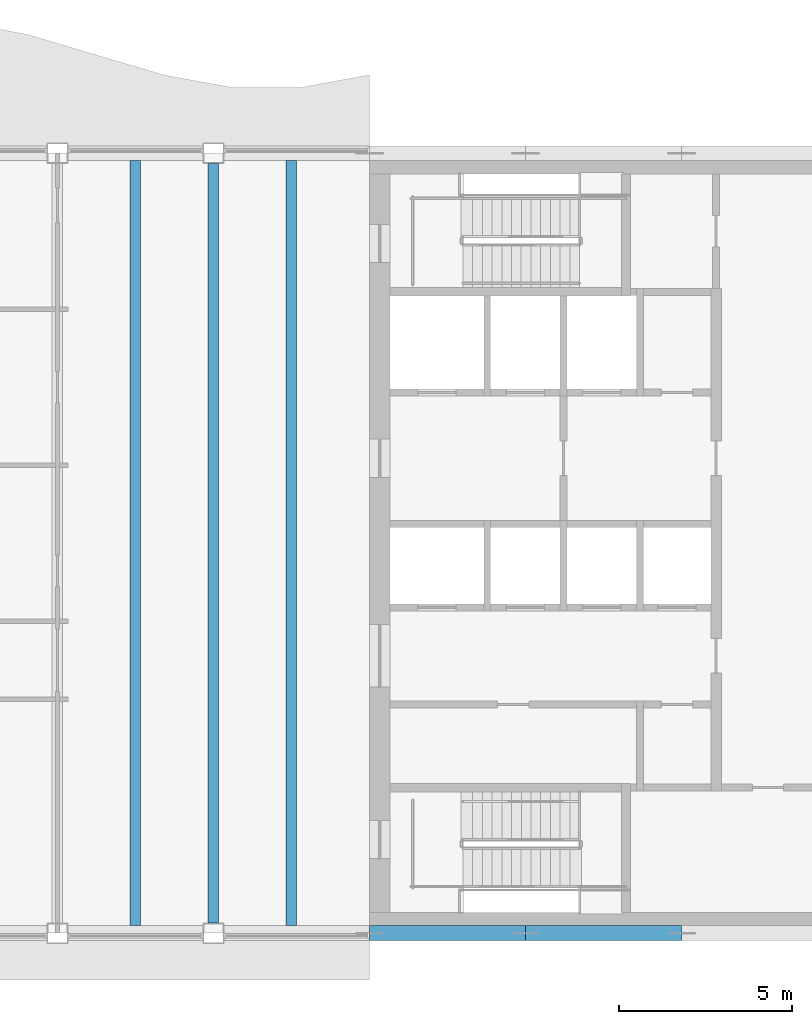
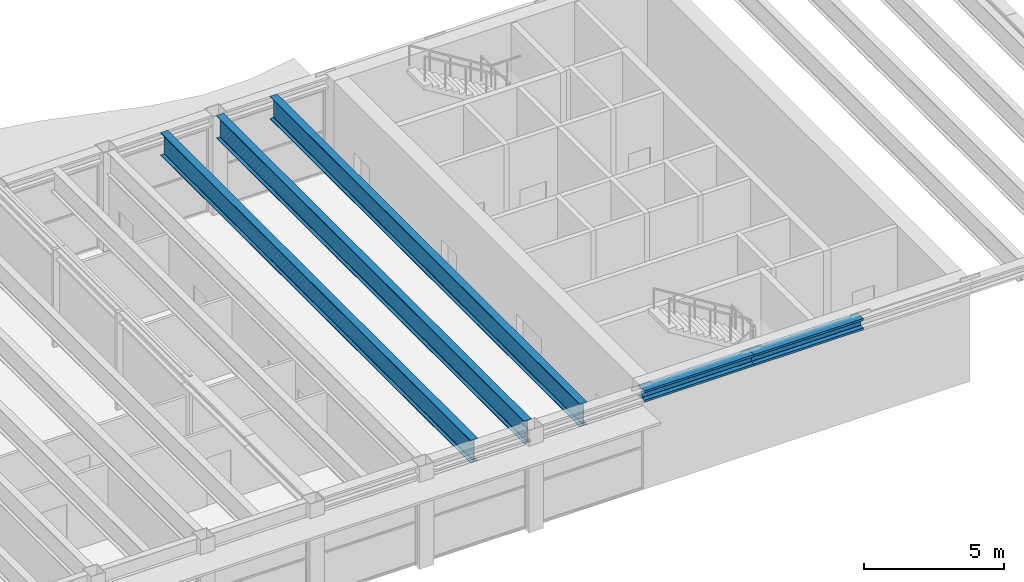
# One storey, part 6 of 15: 3 beams, 2 members.
"""IFC4 building model written with IfcOpenShell, lengths in metres."""

from ifc_helpers import new_model, si_unit, direction, frame, origin, origin_2d, place, context, subcontext, project, spatial, i_section, extrude, material, material_profile, profile_set, type_object, element, save


model = new_model("IFC4")

# Units and contexts
model_context = context("Model", 3, precision=1e-05, world=origin(), true_north=direction((0.0, 1.0)))
body_context = subcontext(model_context, "Body", "Model", "MODEL_VIEW")
ifc_project = project(units=[si_unit("LENGTHUNIT", "METRE"), si_unit("AREAUNIT", "SQUARE_METRE"), si_unit("VOLUMEUNIT", "CUBIC_METRE"), si_unit("PLANEANGLEUNIT", "RADIAN"), si_unit("MASSUNIT", "GRAM", prefix="KILO")], contexts=[model_context])

# Site, building, storey
site_placement = place(None, origin())
site = spatial("IfcSite", under=ifc_project, at=site_placement, CompositionType="ELEMENT")
building_placement = place(site_placement, origin())
building = spatial("IfcBuilding", under=site, at=building_placement, Name="Sennacour Bend Tower", CompositionType="ELEMENT")
storey_placement = place(building_placement, frame((0.0, 0.0, 341.0)))
storey = spatial("IfcBuildingStorey", under=building, at=storey_placement, Name="L78", CompositionType="ELEMENT", Elevation=341.0)

# Beams
ifc_material = material(Name="Steel ASTM A992 Grade 50", Category="steel")
ifc_material_profile_1 = material_profile(ifc_material, i_section(OverallWidth=0.300048828125, OverallDepth=0.990966796875, WebThickness=0.0166015625, FlangeThickness=0.030517578125, FilletRadius=0.030029296875, at=origin_2d()), Name="Steel ASTM A992 Grade 50", Category="steel")
ifc_profile_set_1 = profile_set([ifc_material_profile_1], Name="Steel ASTM A992 Grade 50")
beam_type = type_object("IfcBeamType", Name="Floor beam W1000X272", PredefinedType="BEAM", material=ifc_profile_set_1)
beam_1_placement = place(storey_placement, frame((47.25, 0.216064453125, 3.804443359375), z_axis=(0.0, 1.0, 0.0), x_axis=(-1.0, 0.0, 0.0)))
element("IfcBeam", 1, at=beam_1_placement, inside=storey, type_object=beam_type, Name="Floor beam FBM3 L79-020", PredefinedType="BEAM", context=body_context, shape_type="SweptSolid", body=[
    extrude(i_section(OverallWidth=0.300048828125, OverallDepth=0.990966796875, WebThickness=0.0166015625, FlangeThickness=0.030517578125, FilletRadius=0.030029296875, at=origin_2d()), origin(), (0.0, 0.0, 1.0), 22.06787109375),
])
beam_2_placement = place(storey_placement, frame((49.5, 0.300048828125, 3.804443359375), z_axis=(0.0, 1.0, 0.0), x_axis=(-1.0, 0.0, 0.0)))
element("IfcBeam", 2, at=beam_2_placement, inside=storey, type_object=beam_type, Name="Floor beam FBM3 L79-021", PredefinedType="BEAM", context=body_context, shape_type="SweptSolid", body=[
    extrude(i_section(OverallWidth=0.300048828125, OverallDepth=0.990966796875, WebThickness=0.0166015625, FlangeThickness=0.030517578125, FilletRadius=0.030029296875, at=origin_2d()), origin(), (0.0, 0.0, 1.0), 21.89990234375),
])
beam_3_placement = place(storey_placement, frame((51.75, 0.216064453125, 3.804443359375), z_axis=(0.0, 1.0, 0.0), x_axis=(-1.0, 0.0, 0.0)))
element("IfcBeam", 3, at=beam_3_placement, inside=storey, type_object=beam_type, Name="Floor beam FBM3 L79-022", PredefinedType="BEAM", context=body_context, shape_type="SweptSolid", body=[
    extrude(i_section(OverallWidth=0.300048828125, OverallDepth=0.990966796875, WebThickness=0.0166015625, FlangeThickness=0.030517578125, FilletRadius=0.030029296875, at=origin_2d()), origin(), (0.0, 0.0, 1.0), 22.06787109375),
])

# Members
ifc_material_profile_2 = material_profile(ifc_material, i_section(OverallWidth=0.431884765625, OverallDepth=0.498046875, WebThickness=0.0556640625, FlangeThickness=0.0888671875, FilletRadius=0.01513671875, at=origin_2d()), Name="Steel ASTM A992 Grade 50", Category="steel")
ifc_profile_set_2 = profile_set([ifc_material_profile_2], Name="Steel ASTM A992 Grade 50")
member_type = type_object("IfcMemberType", Name="Lounge truss chord W360X744", PredefinedType="CHORD", material=ifc_profile_set_2)
for number, where, z_axis, x_axis, name in (
    (4, (54.0, 0.0, 4.051025390625), (1.0, 0.0, 0.0), (0.0, 1.0, 0.0), "Lounge truss chord LTC L79-004"),
    (5, (58.5, 0.0, 4.051025390625), (1.0, 0.0, 0.0), (0.0, 1.0, 0.0), "Lounge truss chord LTC L79-005"),
):
    element("IfcMember", number, at=place(storey_placement, frame(where, z_axis=z_axis, x_axis=x_axis)), inside=storey, type_object=member_type, Name=name, PredefinedType="CHORD", context=body_context, shape_type="SweptSolid", body=[
        extrude(i_section(OverallWidth=0.431884765625, OverallDepth=0.498046875, WebThickness=0.0556640625, FlangeThickness=0.0888671875, FilletRadius=0.01513671875, at=origin_2d()), origin(), (0.0, 0.0, 1.0), 4.5),
    ])

save(model, "model.ifc")
